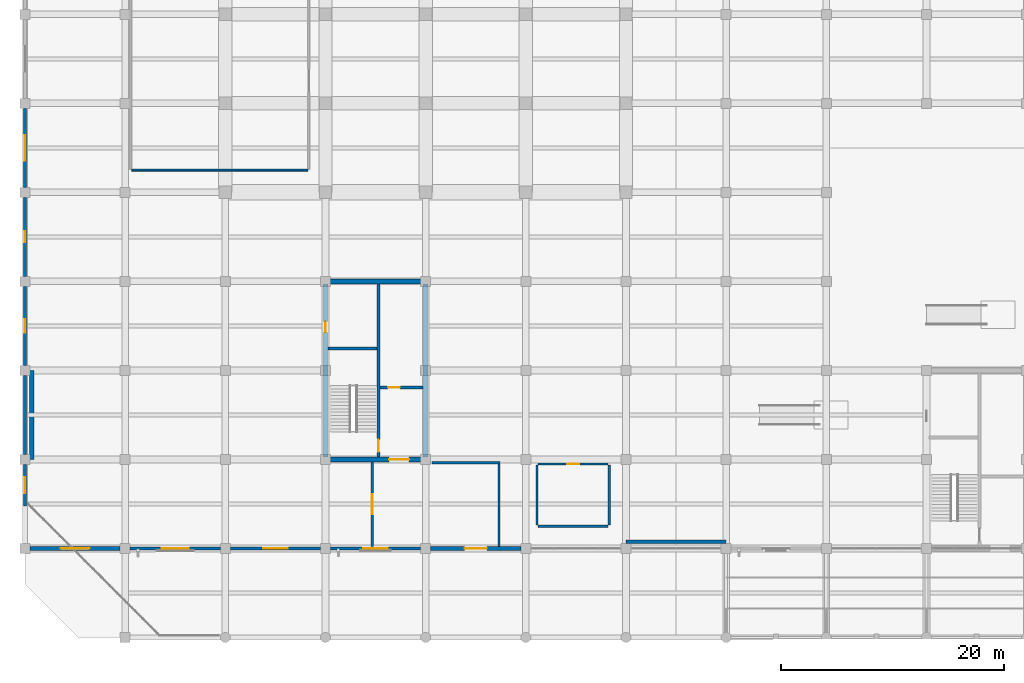
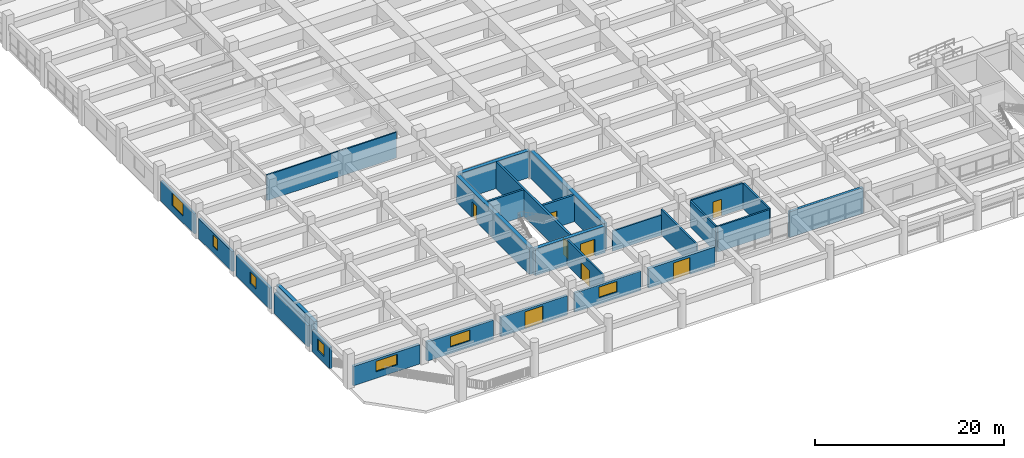
# One storey, part 21 of 40: 27 walls, 8 doors, 7 windows, 15 openings.
"""IFC4 building model written with IfcOpenShell, lengths in metres."""

from ifc_helpers import new_model, si_unit, direction, frame, frame_2d, origin, place, context, subcontext, project, spatial, rectangle, extrude, material, layer, layer_set, type_object, element, fill, save


model = new_model("IFC4")

# Units and contexts
model_context = context("Model", 3, precision=1e-05, world=origin(), true_north=direction((0.0, 1.0)))
body_context = subcontext(model_context, "Body", "Model", "MODEL_VIEW")
ifc_project = project(units=[si_unit("LENGTHUNIT", "METRE"), si_unit("AREAUNIT", "SQUARE_METRE"), si_unit("VOLUMEUNIT", "CUBIC_METRE"), si_unit("PLANEANGLEUNIT", "RADIAN"), si_unit("MASSUNIT", "GRAM", prefix="KILO")], contexts=[model_context])

# Site, building, storey
site_placement = place(None, origin())
site = spatial("IfcSite", under=ifc_project, at=site_placement, CompositionType="ELEMENT")
building_placement = place(site_placement, origin())
building = spatial("IfcBuilding", under=site, at=building_placement, Name="Zaverband Oceanarium and Marine Research Institute", CompositionType="ELEMENT")
storey_placement = place(building_placement, origin())
storey = spatial("IfcBuildingStorey", under=building, at=storey_placement, Name="L00", CompositionType="ELEMENT", Elevation=0.0)

# Wall, opening, door
ifc_material_1 = material(Name="Concrete C50/60", Category="concrete")
ifc_layer_1 = layer(ifc_material_1, 0.449951171875, Name="Concrete C50/60")
ifc_layer_set_1 = layer_set([ifc_layer_1], Name="Concrete C50/60")
wall_type_1 = type_object("IfcWallType", Name="CW-02", PredefinedType="SHEAR", material=ifc_layer_set_1)
wall_1_placement = place(storey_placement, frame((27.22509765625, 16.0, 0.0), z_axis=(0.0, 0.0, 1.0), x_axis=(1.0, 0.0, 0.0)))
wall_1 = element("IfcWall", 1, at=wall_1_placement, inside=storey, type_object=wall_type_1, Name="Structural shear wall CW-02", PredefinedType="SHEAR", context=body_context, shape_type="SweptSolid", body=[
    extrude(rectangle(XDim=8.5498046875, YDim=0.449951171875, at=frame_2d((4.27490234375, 0.0))), origin(), (0.0, 0.0, 1.0), 3.449951171875),
])
opening_1_placement = place(wall_1_placement, frame((5.5, 0.0, 0.0)))
opening_1 = element("IfcOpeningElement", 2, at=opening_1_placement, cuts=wall_1, Name="Opening FD-02", PredefinedType="OPENING", context=body_context, shape_type="SweptSolid", body=[
    extrude(rectangle(XDim=1.800048828125, YDim=2.179931640625, at=frame_2d((0.89990234375, 1.08984375))), frame((0.0, 0.23681640625, 0.0), z_axis=(0.0, -1.0, 0.0), x_axis=(1.0, 0.0, 0.0)), (0.0, 0.0, 1.0), 0.473876953125),
])
ifc_material_2 = material(Name="Steel S355", Category="steel")
door_type_1 = type_object("IfcDoorType", Name="FD-02", OperationType="DOUBLE_DOOR_SINGLE_SWING", PredefinedType="DOOR", material=ifc_material_2)
door_1_placement = place(opening_1_placement, frame((1.800048828125, 0.0, 0.0), z_axis=(0.0, 0.0, 1.0), x_axis=(-1.0, 0.0, 0.0)))
door_1 = element("IfcDoor", 3, at=door_1_placement, inside=storey, type_object=door_type_1, Name="Protected lobby double fire door FD-02", OperationType="DOUBLE_DOOR_SINGLE_SWING", OverallHeight=2.179931640625, OverallWidth=1.800048828125, PredefinedType="DOOR", context=body_context, shape_type="SweptSolid", body=[
    extrude(rectangle(XDim=1.800048828125, YDim=2.179931640625, at=frame_2d((0.89990234375, 1.08984375))), frame((0.0, 0.02490234375, 0.0), z_axis=(0.0, -1.0, 0.0), x_axis=(1.0, 0.0, 0.0)), (0.0, 0.0, 1.0), 0.050048828125),
])
fill(opening_1, door_1)

# Wall
wall_2_placement = place(storey_placement, frame((27.22509765625, 32.0, 0.0), z_axis=(0.0, 0.0, 1.0), x_axis=(1.0, 0.0, 0.0)))
element("IfcWall", 4, at=wall_2_placement, inside=storey, type_object=wall_type_1, Name="Structural shear wall CW-02", PredefinedType="SHEAR", context=body_context, shape_type="SweptSolid", body=[
    extrude(rectangle(XDim=8.5498046875, YDim=0.449951171875, at=frame_2d((4.27490234375, 0.0))), origin(), (0.0, 0.0, 1.0), 3.449951171875),
])

# Wall, opening, door
wall_3_placement = place(storey_placement, frame((27.0, 16.22509765625, 0.0), z_axis=(0.0, 0.0, 1.0), x_axis=(0.0, 1.0, 0.0)))
wall_3 = element("IfcWall", 5, at=wall_3_placement, inside=storey, type_object=wall_type_1, Name="Structural shear wall CW-02", PredefinedType="SHEAR", context=body_context, shape_type="SweptSolid", body=[
    extrude(rectangle(XDim=15.5498046875, YDim=0.449951171875, at=frame_2d((7.77490234375, 0.0))), origin(), (0.0, 0.0, 1.0), 3.449951171875),
])
opening_2_placement = place(wall_3_placement, frame((11.199951171875, 0.0, 0.0)))
opening_2 = element("IfcOpeningElement", 6, at=opening_2_placement, cuts=wall_3, Name="Opening FD-03", PredefinedType="OPENING", context=body_context, shape_type="SweptSolid", body=[
    extrude(rectangle(XDim=0.949951171875, YDim=2.10009765625, at=frame_2d((0.47509765625, 1.050048828125))), frame((0.0, 0.23681640625, 0.0), z_axis=(0.0, -1.0, 0.0), x_axis=(1.0, 0.0, 0.0)), (0.0, 0.0, 1.0), 0.473876953125),
])
door_type_2 = type_object("IfcDoorType", Name="FD-03", OperationType="NOTDEFINED", PredefinedType="DOOR", material=ifc_material_2)
door_2_placement = place(opening_2_placement, origin())
door_2 = element("IfcDoor", 7, at=door_2_placement, inside=storey, type_object=door_type_2, Name="Service riser access fire door FD-03", OperationType="SINGLE_SWING_RIGHT", OverallHeight=2.10009765625, OverallWidth=0.949951171875, PredefinedType="DOOR", context=body_context, shape_type="SweptSolid", body=[
    extrude(rectangle(XDim=0.949951171875, YDim=2.10009765625, at=frame_2d((0.47509765625, 1.050048828125))), frame((0.0, 0.02490234375, 0.0), z_axis=(0.0, -1.0, 0.0), x_axis=(1.0, 0.0, 0.0)), (0.0, 0.0, 1.0), 0.050048828125),
])
fill(opening_2, door_2)

# Wall
wall_4_placement = place(storey_placement, frame((36.0, 16.22509765625, 0.0), z_axis=(0.0, 0.0, 1.0), x_axis=(0.0, 1.0, 0.0)))
element("IfcWall", 8, at=wall_4_placement, inside=storey, type_object=wall_type_1, Name="Structural shear wall CW-02", PredefinedType="SHEAR", context=body_context, shape_type="SweptSolid", body=[
    extrude(rectangle(XDim=15.5498046875, YDim=0.449951171875, at=frame_2d((7.77490234375, 0.0))), origin(), (0.0, 0.0, 1.0), 3.449951171875),
])

# Wall, opening, window
ifc_material_3 = material(Name="Concrete C40/50 precast", Category="concrete")
ifc_layer_2 = layer(ifc_material_3, 0.264892578125, Name="Concrete C40/50 precast")
ifc_layer_set_2 = layer_set([ifc_layer_2], Name="Concrete C40/50 precast")
wall_type_2 = type_object("IfcWallType", Name="EW-265", PredefinedType="STANDARD", material=ifc_layer_set_2)
wall_5_placement = place(storey_placement, frame((27.455078125, 8.0, 0.0), z_axis=(0.0, 0.0, 1.0), x_axis=(1.0, 0.0, 0.0)))
wall_5 = element("IfcWall", 9, at=wall_5_placement, inside=storey, type_object=wall_type_2, Name="Exterior infill wall EW-265", PredefinedType="STANDARD", context=body_context, shape_type="SweptSolid", body=[
    extrude(rectangle(XDim=8.08984375, YDim=0.264892578125, at=frame_2d((4.044921875, 0.0))), origin(), (0.0, 0.0, 1.0), 2.489990234375),
])
opening_3_placement = place(wall_5_placement, frame((2.945068359375, 0.0, 0.85009765625)))
opening_3 = element("IfcOpeningElement", 10, at=opening_3_placement, cuts=wall_5, Name="Opening WN-2200x1350", PredefinedType="OPENING", context=body_context, shape_type="SweptSolid", body=[
    extrude(rectangle(XDim=2.199951171875, YDim=1.35009765625, at=frame_2d((1.10009765625, 0.675048828125))), frame((0.0, 0.14453125, 0.0), z_axis=(0.0, -1.0, 0.0), x_axis=(1.0, 0.0, 0.0)), (0.0, 0.0, 1.0), 0.288818359375),
])
ifc_material_4 = material(Name="Thermally broken anodized aluminium and solar-control glass", Category="aluminium")
window_type_1 = type_object("IfcWindowType", Name="WN-2200x1350", PartitioningType="SINGLE_PANEL", PredefinedType="WINDOW", material=ifc_material_4)
window_1_placement = place(opening_3_placement, origin())
window_1 = element("IfcWindow", 11, at=window_1_placement, inside=storey, type_object=window_type_1, Name="Fixed / casement exterior window WN-2200x1350", OverallHeight=1.35009765625, OverallWidth=2.199951171875, PartitioningType="SINGLE_PANEL", PredefinedType="WINDOW", context=body_context, shape_type="SweptSolid", body=[
    extrude(rectangle(XDim=2.199951171875, YDim=1.35009765625, at=frame_2d((1.10009765625, 0.675048828125))), frame((0.0, 0.030029296875, 0.0), z_axis=(0.0, -1.0, 0.0), x_axis=(1.0, 0.0, 0.0)), (0.0, 0.0, 1.0), 0.06005859375),
])
fill(opening_3, window_1)

# Wall
wall_6_placement = place(storey_placement, frame((0.0, 16.455078125, 0.0), z_axis=(0.0, 0.0, 1.0), x_axis=(0.0, 1.0, 0.0)))
element("IfcWall", 12, at=wall_6_placement, inside=storey, type_object=wall_type_2, Name="Exterior infill wall EW-265", PredefinedType="STANDARD", context=body_context, shape_type="SweptSolid", body=[
    extrude(rectangle(XDim=7.08984375, YDim=0.264892578125, at=frame_2d((3.544921875, 0.0))), origin(), (0.0, 0.0, 1.0), 2.72998046875),
])

# Wall, opening, window
wall_7_placement = place(storey_placement, frame((0.0, 40.455078125, 0.0), z_axis=(0.0, 0.0, 1.0), x_axis=(0.0, 1.0, 0.0)))
wall_7 = element("IfcWall", 13, at=wall_7_placement, inside=storey, type_object=wall_type_2, Name="Exterior infill wall EW-265", PredefinedType="STANDARD", context=body_context, shape_type="SweptSolid", body=[
    extrude(rectangle(XDim=7.08984375, YDim=0.264892578125, at=frame_2d((3.544921875, 0.0))), origin(), (0.0, 0.0, 1.0), 2.580078125),
])
opening_4_placement = place(wall_7_placement, frame((2.39501953125, 0.0, 0.85009765625)))
opening_4 = element("IfcOpeningElement", 14, at=opening_4_placement, cuts=wall_7, Name="Opening WN-2300x1610", PredefinedType="OPENING", context=body_context, shape_type="SweptSolid", body=[
    extrude(rectangle(XDim=2.300048828125, YDim=1.610107421875, at=frame_2d((1.14990234375, 0.80517578125))), frame((0.0, 0.14453125, 0.0), z_axis=(0.0, -1.0, 0.0), x_axis=(1.0, 0.0, 0.0)), (0.0, 0.0, 1.0), 0.288818359375),
])
window_type_2 = type_object("IfcWindowType", Name="WN-2300x1610", PartitioningType="SINGLE_PANEL", PredefinedType="WINDOW", material=ifc_material_4)
window_2_placement = place(opening_4_placement, origin())
window_2 = element("IfcWindow", 15, at=window_2_placement, inside=storey, type_object=window_type_2, Name="Fixed / casement exterior window WN-2300x1610", OverallHeight=1.610107421875, OverallWidth=2.300048828125, PartitioningType="SINGLE_PANEL", PredefinedType="WINDOW", context=body_context, shape_type="SweptSolid", body=[
    extrude(rectangle(XDim=2.300048828125, YDim=1.610107421875, at=frame_2d((1.14990234375, 0.80517578125))), frame((0.0, 0.030029296875, 0.0), z_axis=(0.0, -1.0, 0.0), x_axis=(1.0, 0.0, 0.0)), (0.0, 0.0, 1.0), 0.06005859375),
])
fill(opening_4, window_2)

# Wall, opening, door
ifc_layer_3 = layer(ifc_material_3, 0.2900390625, Name="Concrete C40/50 precast")
ifc_layer_set_3 = layer_set([ifc_layer_3], Name="Concrete C40/50 precast")
wall_type_3 = type_object("IfcWallType", Name="EW-290", PredefinedType="STANDARD", material=ifc_layer_set_3)
wall_8_placement = place(storey_placement, frame((18.455078125, 8.0, 0.0), z_axis=(0.0, 0.0, 1.0), x_axis=(1.0, 0.0, 0.0)))
wall_8 = element("IfcWall", 16, at=wall_8_placement, inside=storey, type_object=wall_type_3, Name="Exterior infill wall EW-290", PredefinedType="STANDARD", context=body_context, shape_type="SweptSolid", body=[
    extrude(rectangle(XDim=8.08984375, YDim=0.2900390625, at=frame_2d((4.044921875, 0.0))), origin(), (0.0, 0.0, 1.0), 2.489990234375),
])
opening_5_placement = place(wall_8_placement, frame((2.945068359375, 0.0, 0.0)))
opening_5 = element("IfcOpeningElement", 17, at=opening_5_placement, cuts=wall_8, Name="Opening ED-2200x2200", PredefinedType="OPENING", context=body_context, shape_type="SweptSolid", body=[
    extrude(rectangle(XDim=2.199951171875, YDim=2.199951171875, at=frame_2d((1.10009765625, 1.10009765625))), frame((0.0, 0.156982421875, 0.0), z_axis=(0.0, -1.0, 0.0), x_axis=(1.0, 0.0, 0.0)), (0.0, 0.0, 1.0), 0.31396484375),
])
ifc_material_5 = material(Name="Thermally broken anodized aluminium and laminated glass", Category="aluminium")
door_type_3 = type_object("IfcDoorType", Name="ED-2200x2200", OperationType="DOUBLE_DOOR_SINGLE_SWING", PredefinedType="DOOR", material=ifc_material_5)
door_3_placement = place(opening_5_placement, frame((2.199951171875, 0.0, 0.0), z_axis=(0.0, 0.0, 1.0), x_axis=(-1.0, 0.0, 0.0)))
door_3 = element("IfcDoor", 18, at=door_3_placement, inside=storey, type_object=door_type_3, Name="Main entrance E1", OperationType="DOUBLE_DOOR_SINGLE_SWING", OverallHeight=2.199951171875, OverallWidth=2.199951171875, PredefinedType="DOOR", context=body_context, shape_type="SweptSolid", body=[
    extrude(rectangle(XDim=2.199951171875, YDim=2.199951171875, at=frame_2d((1.10009765625, 1.10009765625))), frame((0.0, 0.02490234375, 0.0), z_axis=(0.0, -1.0, 0.0), x_axis=(1.0, 0.0, 0.0)), (0.0, 0.0, 1.0), 0.050048828125),
])
fill(opening_5, door_3)

# Wall, opening, window
wall_9_placement = place(storey_placement, frame((0.0, 11.820068359375, 0.0), z_axis=(0.0, 0.0, 1.0), x_axis=(0.0, 1.0, 0.0)))
wall_9 = element("IfcWall", 19, at=wall_9_placement, inside=storey, type_object=wall_type_3, Name="Exterior infill wall EW-290", PredefinedType="STANDARD", context=body_context, shape_type="SweptSolid", body=[
    extrude(rectangle(XDim=3.724853515625, YDim=0.2900390625, at=frame_2d((1.8623046875, 0.0))), origin(), (0.0, 0.0, 1.0), 2.72998046875),
])
opening_6_placement = place(wall_9_placement, frame((1.16259765625, 0.0, 0.85009765625)))
opening_6 = element("IfcOpeningElement", 20, at=opening_6_placement, cuts=wall_9, Name="Opening WN-1400x1500", PredefinedType="OPENING", context=body_context, shape_type="SweptSolid", body=[
    extrude(rectangle(XDim=1.39990234375, YDim=1.5, at=frame_2d((0.699951171875, 0.75))), frame((0.0, 0.156982421875, 0.0), z_axis=(0.0, -1.0, 0.0), x_axis=(1.0, 0.0, 0.0)), (0.0, 0.0, 1.0), 0.31396484375),
])
window_type_3 = type_object("IfcWindowType", Name="WN-1400x1500", PartitioningType="SINGLE_PANEL", PredefinedType="WINDOW", material=ifc_material_4)
window_3_placement = place(opening_6_placement, origin())
window_3 = element("IfcWindow", 21, at=window_3_placement, inside=storey, type_object=window_type_3, Name="Fixed / casement exterior window WN-1400x1500", OverallHeight=1.5, OverallWidth=1.39990234375, PartitioningType="SINGLE_PANEL", PredefinedType="WINDOW", context=body_context, shape_type="SweptSolid", body=[
    extrude(rectangle(XDim=1.39990234375, YDim=1.5, at=frame_2d((0.699951171875, 0.75))), frame((0.0, 0.030029296875, 0.0), z_axis=(0.0, -1.0, 0.0), x_axis=(1.0, 0.0, 0.0)), (0.0, 0.0, 1.0), 0.06005859375),
])
fill(opening_6, window_3)

wall_10_placement = place(storey_placement, frame((0.0, 32.455078125, 0.0), z_axis=(0.0, 0.0, 1.0), x_axis=(0.0, 1.0, 0.0)))
wall_10 = element("IfcWall", 22, at=wall_10_placement, inside=storey, type_object=wall_type_3, Name="Exterior infill wall EW-290", PredefinedType="STANDARD", context=body_context, shape_type="SweptSolid", body=[
    extrude(rectangle(XDim=7.08984375, YDim=0.2900390625, at=frame_2d((3.544921875, 0.0))), origin(), (0.0, 0.0, 1.0), 2.580078125),
])
opening_7_placement = place(wall_10_placement, frame((3.044921875, 0.0, 0.85009765625)))
opening_7 = element("IfcOpeningElement", 23, at=opening_7_placement, cuts=wall_10, Name="Opening WN-1000x1500", PredefinedType="OPENING", context=body_context, shape_type="SweptSolid", body=[
    extrude(rectangle(XDim=1.0, YDim=1.5, at=frame_2d((0.5, 0.75))), frame((0.0, 0.156982421875, 0.0), z_axis=(0.0, -1.0, 0.0), x_axis=(1.0, 0.0, 0.0)), (0.0, 0.0, 1.0), 0.31396484375),
])
window_type_4 = type_object("IfcWindowType", Name="WN-1000x1500", PartitioningType="SINGLE_PANEL", PredefinedType="WINDOW", material=ifc_material_4)
window_4_placement = place(opening_7_placement, origin())
window_4 = element("IfcWindow", 24, at=window_4_placement, inside=storey, type_object=window_type_4, Name="Fixed / casement exterior window WN-1000x1500", OverallHeight=1.5, OverallWidth=1.0, PartitioningType="SINGLE_PANEL", PredefinedType="WINDOW", context=body_context, shape_type="SweptSolid", body=[
    extrude(rectangle(XDim=1.0, YDim=1.5, at=frame_2d((0.5, 0.75))), frame((0.0, 0.030029296875, 0.0), z_axis=(0.0, -1.0, 0.0), x_axis=(1.0, 0.0, 0.0)), (0.0, 0.0, 1.0), 0.06005859375),
])
fill(opening_7, window_4)

ifc_layer_4 = layer(ifc_material_3, 0.31005859375, Name="Concrete C40/50 precast")
ifc_layer_set_4 = layer_set([ifc_layer_4], Name="Concrete C40/50 precast")
wall_type_4 = type_object("IfcWallType", Name="EW-310", PredefinedType="STANDARD", material=ifc_layer_set_4)
wall_11_placement = place(storey_placement, frame((9.455078125, 8.0, 0.0), z_axis=(0.0, 0.0, 1.0), x_axis=(1.0, 0.0, 0.0)))
wall_11 = element("IfcWall", 25, at=wall_11_placement, inside=storey, type_object=wall_type_4, Name="Exterior infill wall EW-310", PredefinedType="STANDARD", context=body_context, shape_type="SweptSolid", body=[
    extrude(rectangle(XDim=8.08984375, YDim=0.31005859375, at=frame_2d((4.044921875, 0.0))), origin(), (0.0, 0.0, 1.0), 2.489990234375),
])
opening_8_placement = place(wall_11_placement, frame((2.844970703125, 0.0, 0.85009765625)))
opening_8 = element("IfcOpeningElement", 26, at=opening_8_placement, cuts=wall_11, Name="Opening WN-2400x1350", PredefinedType="OPENING", context=body_context, shape_type="SweptSolid", body=[
    extrude(rectangle(XDim=2.39990234375, YDim=1.35009765625, at=frame_2d((1.199951171875, 0.675048828125))), frame((0.0, 0.1669921875, 0.0), z_axis=(0.0, -1.0, 0.0), x_axis=(1.0, 0.0, 0.0)), (0.0, 0.0, 1.0), 0.333984375),
])
window_type_5 = type_object("IfcWindowType", Name="WN-2400x1350", PartitioningType="SINGLE_PANEL", PredefinedType="WINDOW", material=ifc_material_4)
window_5_placement = place(opening_8_placement, origin())
window_5 = element("IfcWindow", 27, at=window_5_placement, inside=storey, type_object=window_type_5, Name="Fixed / casement exterior window WN-2400x1350", OverallHeight=1.35009765625, OverallWidth=2.39990234375, PartitioningType="SINGLE_PANEL", PredefinedType="WINDOW", context=body_context, shape_type="SweptSolid", body=[
    extrude(rectangle(XDim=2.39990234375, YDim=1.35009765625, at=frame_2d((1.199951171875, 0.675048828125))), frame((0.0, 0.030029296875, 0.0), z_axis=(0.0, -1.0, 0.0), x_axis=(1.0, 0.0, 0.0)), (0.0, 0.0, 1.0), 0.06005859375),
])
fill(opening_8, window_5)

wall_12_placement = place(storey_placement, frame((0.0, 24.455078125, 0.0), z_axis=(0.0, 0.0, 1.0), x_axis=(0.0, 1.0, 0.0)))
wall_12 = element("IfcWall", 28, at=wall_12_placement, inside=storey, type_object=wall_type_4, Name="Exterior infill wall EW-310", PredefinedType="STANDARD", context=body_context, shape_type="SweptSolid", body=[
    extrude(rectangle(XDim=7.08984375, YDim=0.31005859375, at=frame_2d((3.544921875, 0.0))), origin(), (0.0, 0.0, 1.0), 2.72998046875),
])
opening_9_placement = place(wall_12_placement, frame((2.945068359375, 0.0, 0.85009765625)))
opening_9 = element("IfcOpeningElement", 29, at=opening_9_placement, cuts=wall_12, Name="Opening WN-1200x1500", PredefinedType="OPENING", context=body_context, shape_type="SweptSolid", body=[
    extrude(rectangle(XDim=1.199951171875, YDim=1.5, at=frame_2d((0.60009765625, 0.75))), frame((0.0, 0.1669921875, 0.0), z_axis=(0.0, -1.0, 0.0), x_axis=(1.0, 0.0, 0.0)), (0.0, 0.0, 1.0), 0.333984375),
])
window_type_6 = type_object("IfcWindowType", Name="WN-1200x1500", PartitioningType="SINGLE_PANEL", PredefinedType="WINDOW", material=ifc_material_4)
window_6_placement = place(opening_9_placement, origin())
window_6 = element("IfcWindow", 30, at=window_6_placement, inside=storey, type_object=window_type_6, Name="Fixed / casement exterior window WN-1200x1500", OverallHeight=1.5, OverallWidth=1.199951171875, PartitioningType="SINGLE_PANEL", PredefinedType="WINDOW", context=body_context, shape_type="SweptSolid", body=[
    extrude(rectangle(XDim=1.199951171875, YDim=1.5, at=frame_2d((0.60009765625, 0.75))), frame((0.0, 0.030029296875, 0.0), z_axis=(0.0, -1.0, 0.0), x_axis=(1.0, 0.0, 0.0)), (0.0, 0.0, 1.0), 0.06005859375),
])
fill(opening_9, window_6)

ifc_layer_5 = layer(ifc_material_3, 0.340087890625, Name="Concrete C40/50 precast")
ifc_layer_set_5 = layer_set([ifc_layer_5], Name="Concrete C40/50 precast")
wall_type_5 = type_object("IfcWallType", Name="EW-340", PredefinedType="STANDARD", material=ifc_layer_set_5)
wall_13_placement = place(storey_placement, frame((0.455078125, 8.0, 0.0), z_axis=(0.0, 0.0, 1.0), x_axis=(1.0, 0.0, 0.0)))
wall_13 = element("IfcWall", 31, at=wall_13_placement, inside=storey, type_object=wall_type_5, Name="Exterior infill wall EW-340", PredefinedType="STANDARD", context=body_context, shape_type="SweptSolid", body=[
    extrude(rectangle(XDim=8.08984375, YDim=0.340087890625, at=frame_2d((4.044921875, 0.0))), origin(), (0.0, 0.0, 1.0), 2.489990234375),
])
opening_10_placement = place(wall_13_placement, frame((2.7451171875, 0.0, 0.85009765625)))
opening_10 = element("IfcOpeningElement", 32, at=opening_10_placement, cuts=wall_13, Name="Opening WN-2600x1350", PredefinedType="OPENING", context=body_context, shape_type="SweptSolid", body=[
    extrude(rectangle(XDim=2.60009765625, YDim=1.35009765625, at=frame_2d((1.300048828125, 0.675048828125))), frame((0.0, 0.18212890625, 0.0), z_axis=(0.0, -1.0, 0.0), x_axis=(1.0, 0.0, 0.0)), (0.0, 0.0, 1.0), 0.364013671875),
])
window_type_7 = type_object("IfcWindowType", Name="WN-2600x1350", PartitioningType="SINGLE_PANEL", PredefinedType="WINDOW", material=ifc_material_4)
window_7_placement = place(opening_10_placement, origin())
window_7 = element("IfcWindow", 33, at=window_7_placement, inside=storey, type_object=window_type_7, Name="Fixed / casement exterior window WN-2600x1350", OverallHeight=1.35009765625, OverallWidth=2.60009765625, PartitioningType="SINGLE_PANEL", PredefinedType="WINDOW", context=body_context, shape_type="SweptSolid", body=[
    extrude(rectangle(XDim=2.60009765625, YDim=1.35009765625, at=frame_2d((1.300048828125, 0.675048828125))), frame((0.0, 0.030029296875, 0.0), z_axis=(0.0, -1.0, 0.0), x_axis=(1.0, 0.0, 0.0)), (0.0, 0.0, 1.0), 0.06005859375),
])
fill(opening_10, window_7)

# Wall, opening, door
wall_14_placement = place(storey_placement, frame((36.455078125, 8.0, 0.0), z_axis=(0.0, 0.0, 1.0), x_axis=(1.0, 0.0, 0.0)))
wall_14 = element("IfcWall", 34, at=wall_14_placement, inside=storey, type_object=wall_type_5, Name="Exterior infill wall EW-340", PredefinedType="STANDARD", context=body_context, shape_type="SweptSolid", body=[
    extrude(rectangle(XDim=8.08984375, YDim=0.340087890625, at=frame_2d((4.044921875, 0.0))), origin(), (0.0, 0.0, 1.0), 2.489990234375),
])
opening_11_placement = place(wall_14_placement, frame((3.044921875, 0.0, 0.0)))
opening_11 = element("IfcOpeningElement", 35, at=opening_11_placement, cuts=wall_14, Name="Opening ED-2000x2180", PredefinedType="OPENING", context=body_context, shape_type="SweptSolid", body=[
    extrude(rectangle(XDim=2.0, YDim=2.179931640625, at=frame_2d((1.0, 1.08984375))), frame((0.0, 0.18212890625, 0.0), z_axis=(0.0, -1.0, 0.0), x_axis=(1.0, 0.0, 0.0)), (0.0, 0.0, 1.0), 0.364013671875),
])
door_type_4 = type_object("IfcDoorType", Name="ED-2000x2180", OperationType="DOUBLE_DOOR_SINGLE_SWING", PredefinedType="DOOR", material=ifc_material_5)
door_4_placement = place(opening_11_placement, frame((2.0, 0.0, 0.0), z_axis=(0.0, 0.0, 1.0), x_axis=(-1.0, 0.0, 0.0)))
door_4 = element("IfcDoor", 36, at=door_4_placement, inside=storey, type_object=door_type_4, Name="Pedestrian exit E2", OperationType="DOUBLE_DOOR_SINGLE_SWING", OverallHeight=2.179931640625, OverallWidth=2.0, PredefinedType="DOOR", context=body_context, shape_type="SweptSolid", body=[
    extrude(rectangle(XDim=2.0, YDim=2.179931640625, at=frame_2d((1.0, 1.08984375))), frame((0.0, 0.02490234375, 0.0), z_axis=(0.0, -1.0, 0.0), x_axis=(1.0, 0.0, 0.0)), (0.0, 0.0, 1.0), 0.050048828125),
])
fill(opening_11, door_4)

# Walls
ifc_material_6 = material(Name="Corridor rated drywall partition")
ifc_layer_6 = layer(ifc_material_6, 0.1650390625, Name="Corridor rated drywall partition")
ifc_layer_set_6 = layer_set([ifc_layer_6], Name="Corridor rated drywall partition")
wall_type_6 = type_object("IfcWallType", Name="PT-165-CR", PredefinedType="PARTITIONING", material=ifc_layer_set_6)
wall_15_placement = place(storey_placement, frame((9.58251953125, 42.0, 0.0), z_axis=(0.0, 0.0, 1.0), x_axis=(1.0, 0.0, 0.0)))
element("IfcWall", 37, at=wall_15_placement, inside=storey, type_object=wall_type_6, Name="Internal partition PT-165-CR", PredefinedType="PARTITIONING", context=body_context, shape_type="SweptSolid", body=[
    extrude(rectangle(XDim=15.8349609375, YDim=0.1650390625, at=frame_2d((7.91748046875, 0.0))), origin(), (0.0, 0.0, 1.0), 3.300048828125),
])
ifc_material_7 = material(Name="Fire-rated masonry compartment wall", Category="masonry")
ifc_layer_7 = layer(ifc_material_7, 0.199951171875, Name="Fire-rated masonry compartment wall")
ifc_layer_set_7 = layer_set([ifc_layer_7], Name="Fire-rated masonry compartment wall")
wall_type_7 = type_object("IfcWallType", Name="PT-200-FR", PredefinedType="PARTITIONING", material=ifc_layer_set_7)
wall_16_placement = place(storey_placement, frame((46.10009765625, 10.0, 0.0), z_axis=(0.0, 0.0, 1.0), x_axis=(1.0, 0.0, 0.0)))
element("IfcWall", 38, at=wall_16_placement, inside=storey, type_object=wall_type_7, Name="Internal partition PT-200-FR", PredefinedType="PARTITIONING", context=body_context, shape_type="SweptSolid", body=[
    extrude(rectangle(XDim=6.2998046875, YDim=0.199951171875, at=frame_2d((3.14990234375, 0.0))), origin(), (0.0, 0.0, 1.0), 3.300048828125),
])

# Wall, opening, door
wall_17_placement = place(storey_placement, frame((46.10009765625, 15.60009765625, 0.0), z_axis=(0.0, 0.0, 1.0), x_axis=(1.0, 0.0, 0.0)))
wall_17 = element("IfcWall", 39, at=wall_17_placement, inside=storey, type_object=wall_type_7, Name="Internal partition PT-200-FR", PredefinedType="PARTITIONING", context=body_context, shape_type="SweptSolid", body=[
    extrude(rectangle(XDim=6.2998046875, YDim=0.199951171875, at=frame_2d((3.14990234375, 0.0))), origin(), (0.0, 0.0, 1.0), 3.300048828125),
])
opening_12_placement = place(wall_17_placement, frame((2.610107421875, 0.0, 0.0)))
opening_12 = element("IfcOpeningElement", 40, at=opening_12_placement, cuts=wall_17, Name="Opening ID-1080x2150", PredefinedType="OPENING", context=body_context, shape_type="SweptSolid", body=[
    extrude(rectangle(XDim=1.080078125, YDim=2.14990234375, at=frame_2d((0.5400390625, 1.074951171875))), frame((0.0, 0.11181640625, 0.0), z_axis=(0.0, -1.0, 0.0), x_axis=(1.0, 0.0, 0.0)), (0.0, 0.0, 1.0), 0.223876953125),
])
door_type_5 = type_object("IfcDoorType", Name="ID-1080x2150", OperationType="NOTDEFINED", PredefinedType="DOOR", material=ifc_material_2)
door_5_placement = place(opening_12_placement, origin())
door_5 = element("IfcDoor", 41, at=door_5_placement, inside=storey, type_object=door_type_5, Name="Fire command centre door ID-1080x2150", OperationType="SINGLE_SWING_LEFT", OverallHeight=2.14990234375, OverallWidth=1.080078125, PredefinedType="DOOR", context=body_context, shape_type="SweptSolid", body=[
    extrude(rectangle(XDim=1.080078125, YDim=2.14990234375, at=frame_2d((0.5400390625, 1.074951171875))), frame((0.0, 0.02490234375, 0.0), z_axis=(0.0, -1.0, 0.0), x_axis=(1.0, 0.0, 0.0)), (0.0, 0.0, 1.0), 0.050048828125),
])
fill(opening_12, door_5)

# Walls
for number, where, z_axis, x_axis, name in (
    (42, (46.0, 10.10009765625, 0.0), (0.0, 0.0, 1.0), (0.0, 1.0, 0.0), "Internal partition PT-200-FR"),
    (43, (52.5, 10.10009765625, 0.0), (0.0, 0.0, 1.0), (0.0, 1.0, 0.0), "Internal partition PT-200-FR"),
):
    element("IfcWall", number, at=place(storey_placement, frame(where, z_axis=z_axis, x_axis=x_axis)), inside=storey, type_object=wall_type_7, Name=name, PredefinedType="PARTITIONING", context=body_context, shape_type="SweptSolid", body=[
        extrude(rectangle(XDim=5.39990234375, YDim=0.199951171875, at=frame_2d((2.699951171875, 0.0))), origin(), (0.0, 0.0, 1.0), 3.300048828125),
    ])

# Wall, opening, door
wall_18_placement = place(storey_placement, frame((31.199951171875, 8.199951171875, 0.0), z_axis=(0.0, 0.0, 1.0), x_axis=(0.0, 1.0, 0.0)))
wall_18 = element("IfcWall", 44, at=wall_18_placement, inside=storey, type_object=wall_type_7, Name="Internal partition PT-200-FR", PredefinedType="PARTITIONING", context=body_context, shape_type="SweptSolid", body=[
    extrude(rectangle(XDim=7.550048828125, YDim=0.199951171875, at=frame_2d((3.77490234375, 0.0))), origin(), (0.0, 0.0, 1.0), 3.300048828125),
])
opening_13_placement = place(wall_18_placement, frame((2.8798828125, 0.0, 0.0)))
opening_13 = element("IfcOpeningElement", 45, at=opening_13_placement, cuts=wall_18, Name="Opening FD-02", PredefinedType="OPENING", context=body_context, shape_type="SweptSolid", body=[
    extrude(rectangle(XDim=1.800048828125, YDim=2.179931640625, at=frame_2d((0.89990234375, 1.08984375))), frame((0.0, 0.11181640625, 0.0), z_axis=(0.0, -1.0, 0.0), x_axis=(1.0, 0.0, 0.0)), (0.0, 0.0, 1.0), 0.223876953125),
])
door_6_placement = place(opening_13_placement, frame((1.800048828125, 0.0, 0.0), z_axis=(0.0, 0.0, 1.0), x_axis=(-1.0, 0.0, 0.0)))
door_6 = element("IfcDoor", 46, at=door_6_placement, inside=storey, type_object=door_type_1, Name="Exit Vestibule ST-03 Fire Door", OperationType="DOUBLE_DOOR_SINGLE_SWING", OverallHeight=2.179931640625, OverallWidth=1.800048828125, PredefinedType="DOOR", context=body_context, shape_type="SweptSolid", body=[
    extrude(rectangle(XDim=1.800048828125, YDim=2.179931640625, at=frame_2d((0.89990234375, 1.08984375))), frame((0.0, 0.02490234375, 0.0), z_axis=(0.0, -1.0, 0.0), x_axis=(1.0, 0.0, 0.0)), (0.0, 0.0, 1.0), 0.050048828125),
])
fill(opening_13, door_6)

# Walls
wall_19_placement = place(storey_placement, frame((36.56005859375, 15.699951171875, 0.0), z_axis=(0.0, 0.0, 1.0), x_axis=(1.0, 0.0, 0.0)))
element("IfcWall", 47, at=wall_19_placement, inside=storey, type_object=wall_type_7, Name="Internal partition PT-200-FR", PredefinedType="PARTITIONING", context=body_context, shape_type="SweptSolid", body=[
    extrude(rectangle(XDim=6.139892578125, YDim=0.199951171875, at=frame_2d((3.06982421875, 0.0))), origin(), (0.0, 0.0, 1.0), 2.60009765625),
])
wall_20_placement = place(storey_placement, frame((42.60009765625, 8.199951171875, 0.0), z_axis=(0.0, 0.0, 1.0), x_axis=(0.0, 1.0, 0.0)))
element("IfcWall", 48, at=wall_20_placement, inside=storey, type_object=wall_type_7, Name="Internal partition PT-200-FR", PredefinedType="PARTITIONING", context=body_context, shape_type="SweptSolid", body=[
    extrude(rectangle(XDim=7.5, YDim=0.199951171875, at=frame_2d((3.75, 0.0))), origin(), (0.0, 0.0, 1.0), 3.300048828125),
])

# Wall, opening, door
ifc_layer_8 = layer(ifc_material_1, 0.25, Name="Concrete C50/60")
ifc_layer_set_8 = layer_set([ifc_layer_8], Name="Concrete C50/60")
wall_type_8 = type_object("IfcWallType", Name="PW-CORE-250", PredefinedType="SOLIDWALL", material=ifc_layer_set_8)
wall_21_placement = place(storey_placement, frame((31.77490234375, 16.22509765625, 0.0), z_axis=(0.0, 0.0, 1.0), x_axis=(0.0, 1.0, 0.0)))
wall_21 = element("IfcWall", 49, at=wall_21_placement, inside=storey, type_object=wall_type_8, Name="Structural concrete wall PW-CORE-250", PredefinedType="SOLIDWALL", context=body_context, shape_type="SweptSolid", body=[
    extrude(rectangle(XDim=15.5498046875, YDim=0.25, at=frame_2d((7.77490234375, 0.0))), origin(), (0.0, 0.0, 1.0), 3.449951171875),
])
opening_14_placement = place(wall_21_placement, frame((0.449951171875, 0.0, 0.0)))
opening_14 = element("IfcOpeningElement", 50, at=opening_14_placement, cuts=wall_21, Name="Opening FD-01", PredefinedType="OPENING", context=body_context, shape_type="SweptSolid", body=[
    extrude(rectangle(XDim=1.10009765625, YDim=2.14990234375, at=frame_2d((0.550048828125, 1.074951171875))), frame((0.0, 0.136962890625, 0.0), z_axis=(0.0, -1.0, 0.0), x_axis=(1.0, 0.0, 0.0)), (0.0, 0.0, 1.0), 0.27392578125),
])
door_type_6 = type_object("IfcDoorType", Name="FD-01", OperationType="NOTDEFINED", PredefinedType="DOOR", material=ifc_material_2)
door_7_placement = place(opening_14_placement, frame((1.10009765625, 0.0, 0.0), z_axis=(0.0, 0.0, 1.0), x_axis=(-1.0, 0.0, 0.0)))
door_7 = element("IfcDoor", 51, at=door_7_placement, inside=storey, type_object=door_type_6, Name="Core stair / lobby fire door FD-01", OperationType="SINGLE_SWING_LEFT", OverallHeight=2.14990234375, OverallWidth=1.10009765625, PredefinedType="DOOR", context=body_context, shape_type="SweptSolid", body=[
    extrude(rectangle(XDim=1.10009765625, YDim=2.14990234375, at=frame_2d((0.550048828125, 1.074951171875))), frame((0.0, 0.02490234375, 0.0), z_axis=(0.0, -1.0, 0.0), x_axis=(1.0, 0.0, 0.0)), (0.0, 0.0, 1.0), 0.050048828125),
])
fill(opening_14, door_7)

# Wall
wall_22_placement = place(storey_placement, frame((27.22509765625, 25.97509765625, 0.0), z_axis=(0.0, 0.0, 1.0), x_axis=(1.0, 0.0, 0.0)))
element("IfcWall", 52, at=wall_22_placement, inside=storey, type_object=wall_type_8, Name="Structural concrete wall PW-CORE-250", PredefinedType="SOLIDWALL", context=body_context, shape_type="SweptSolid", body=[
    extrude(rectangle(XDim=4.419921875, YDim=0.25, at=frame_2d((2.2099609375, 0.0))), origin(), (0.0, 0.0, 1.0), 3.449951171875),
])

# Wall, opening, door
wall_23_placement = place(storey_placement, frame((31.905029296875, 22.47509765625, 0.0), z_axis=(0.0, 0.0, 1.0), x_axis=(1.0, 0.0, 0.0)))
wall_23 = element("IfcWall", 53, at=wall_23_placement, inside=storey, type_object=wall_type_8, Name="Structural concrete wall PW-CORE-250", PredefinedType="SOLIDWALL", context=body_context, shape_type="SweptSolid", body=[
    extrude(rectangle(XDim=3.869873046875, YDim=0.25, at=frame_2d((1.93505859375, 0.0))), origin(), (0.0, 0.0, 1.0), 3.449951171875),
])
opening_15_placement = place(wall_23_placement, frame((0.719970703125, 0.0, 0.0)))
opening_15 = element("IfcOpeningElement", 54, at=opening_15_placement, cuts=wall_23, Name="Opening LD-02", PredefinedType="OPENING", context=body_context, shape_type="SweptSolid", body=[
    extrude(rectangle(XDim=1.050048828125, YDim=2.1201171875, at=frame_2d((0.52490234375, 1.06005859375))), frame((0.0, 0.136962890625, 0.0), z_axis=(0.0, -1.0, 0.0), x_axis=(1.0, 0.0, 0.0)), (0.0, 0.0, 1.0), 0.27392578125),
])
door_type_7 = type_object("IfcDoorType", Name="LD-02", OperationType="DOUBLE_DOOR_SLIDING", PredefinedType="DOOR", material=ifc_material_2)
door_8_placement = place(opening_15_placement, origin())
door_8 = element("IfcDoor", 55, at=door_8_placement, inside=storey, type_object=door_type_7, Name="Passenger lift sliding landing door LD-02", OperationType="DOUBLE_DOOR_SLIDING", OverallHeight=2.1201171875, OverallWidth=1.050048828125, PredefinedType="DOOR", context=body_context, shape_type="SweptSolid", body=[
    extrude(rectangle(XDim=1.050048828125, YDim=2.1201171875, at=frame_2d((0.52490234375, 1.06005859375))), frame((0.0, 0.02490234375, 0.0), z_axis=(0.0, -1.0, 0.0), x_axis=(1.0, 0.0, 0.0)), (0.0, 0.0, 1.0), 0.050048828125),
])
fill(opening_15, door_8)

# Walls
ifc_material_8 = material(Name="Concrete C40/50", Category="concrete")
ifc_layer_9 = layer(ifc_material_8, 0.320068359375, Name="Concrete C40/50")
ifc_layer_set_9 = layer_set([ifc_layer_9], Name="Concrete C40/50")
wall_type_9 = type_object("IfcWallType", Name="SCW-02", PredefinedType="SOLIDWALL", material=ifc_layer_set_9)
wall_24_placement = place(storey_placement, frame((54.0, 8.60009765625, 0.0), z_axis=(0.0, 0.0, 1.0), x_axis=(1.0, 0.0, 0.0)))
element("IfcWall", 56, at=wall_24_placement, inside=storey, type_object=wall_type_9, Name="Structural concrete wall SCW-02", PredefinedType="SOLIDWALL", context=body_context, shape_type="SweptSolid", body=[
    extrude(rectangle(XDim=9.0, YDim=0.320068359375, at=frame_2d((4.5, 0.0))), origin(), (0.0, 0.0, 1.0), 3.300048828125),
])
ifc_layer_10 = layer(ifc_material_1, 0.419921875, Name="Concrete C50/60")
ifc_layer_set_10 = layer_set([ifc_layer_10], Name="Concrete C50/60")
wall_type_10 = type_object("IfcWallType", Name="SW-01", PredefinedType="SHEAR", material=ifc_layer_set_10)
wall_25_placement = place(storey_placement, frame((0.60009765625, 16.0, 0.0), z_axis=(0.0, 0.0, 1.0), x_axis=(0.0, 1.0, 0.0)))
element("IfcWall", 57, at=wall_25_placement, inside=storey, type_object=wall_type_10, Name="Structural shear wall SW-01", PredefinedType="SHEAR", context=body_context, shape_type="SweptSolid", body=[
    extrude(rectangle(XDim=8.0, YDim=0.419921875, at=frame_2d((4.0, 0.0))), origin(), (0.0, 0.0, 1.0), 3.300048828125),
])

save(model, "model.ifc")
